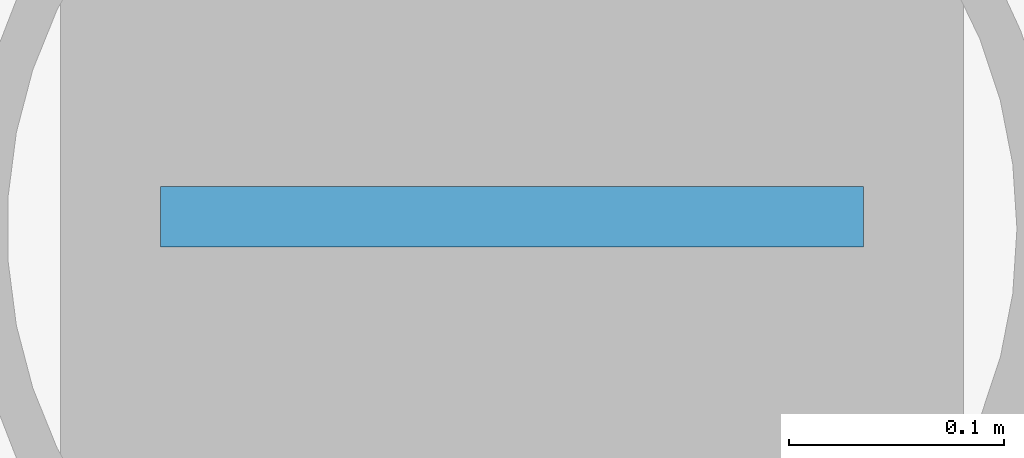
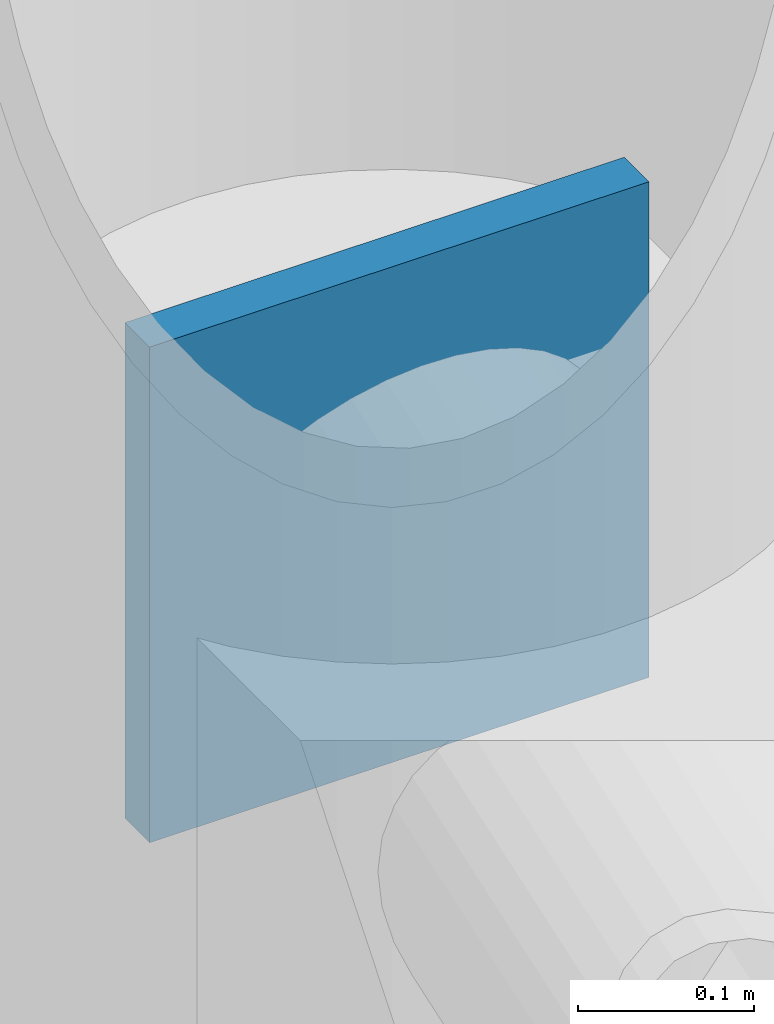
# One storey, part 22 of 34: 1 plate.
"""IFC4 building model written with IfcOpenShell, lengths in metres."""

from ifc_helpers import new_model, si_unit, direction, frame, origin, origin_2d, place, context, subcontext, project, spatial, rectangle, extrude, material, layer, layer_set, type_object, element, save


model = new_model("IFC4")

# Units and contexts
model_context = context("Model", 3, precision=1e-05, world=origin(), true_north=direction((0.0, 1.0)))
body_context = subcontext(model_context, "Body", "Model", "MODEL_VIEW")
ifc_project = project(units=[si_unit("LENGTHUNIT", "METRE"), si_unit("AREAUNIT", "SQUARE_METRE"), si_unit("VOLUMEUNIT", "CUBIC_METRE"), si_unit("PLANEANGLEUNIT", "RADIAN"), si_unit("MASSUNIT", "GRAM", prefix="KILO")], contexts=[model_context])

# Site, building, storey
site_placement = place(None, origin())
site = spatial("IfcSite", under=ifc_project, at=site_placement, CompositionType="ELEMENT")
building_placement = place(site_placement, origin())
building = spatial("IfcBuilding", under=site, at=building_placement, Name="Larkvane Passage Sports Hall", CompositionType="ELEMENT")
storey_placement = place(building_placement, frame((0.0, 0.0, -4.800048828125)))
storey = spatial("IfcBuildingStorey", under=building, at=storey_placement, Name="B01", CompositionType="ELEMENT", Elevation=-4.800048828125)

# Plate
ifc_material = material(Name="Steel S355JR", Category="steel")
ifc_layer = layer(ifc_material, 0.011962890625)
ifc_layer_set = layer_set([ifc_layer], Name="Steel S355JR")
plate_type = type_object("IfcPlateType", Name="PLT-CAP-12", PredefinedType="SHEET", material=ifc_layer_set)
plate_placement = place(storey_placement, frame((93.60009765625, 63.605712890625, 4.08056640625), z_axis=(0.0, 0.0, 1.0), x_axis=(-1.0, 0.0, 0.0)))
element("IfcPlate", 1, at=plate_placement, inside=storey, type_object=plate_type, Name="Hollow section sealed end cap plate 0571", PredefinedType="SHEET", context=body_context, shape_type="SweptSolid", body=[
    extrude(rectangle(XDim=0.326904296875, YDim=0.028076171875, at=origin_2d()), origin(), (0.0, 0.0, 1.0), 0.343017578125),
])

save(model, "model.ifc")
